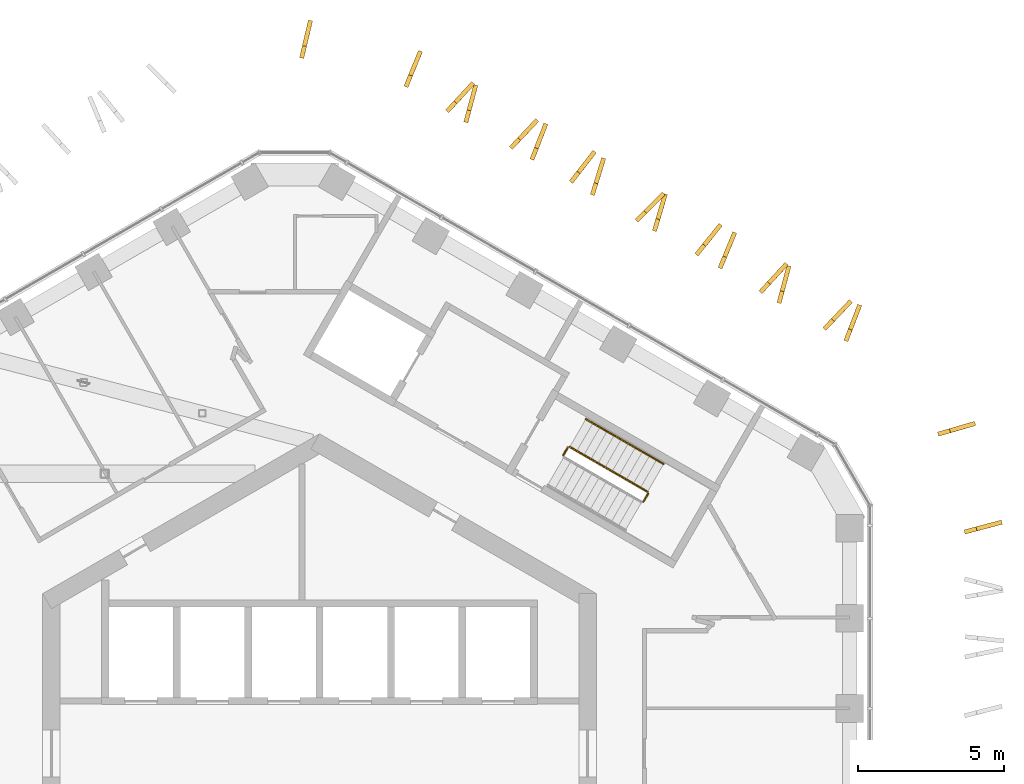
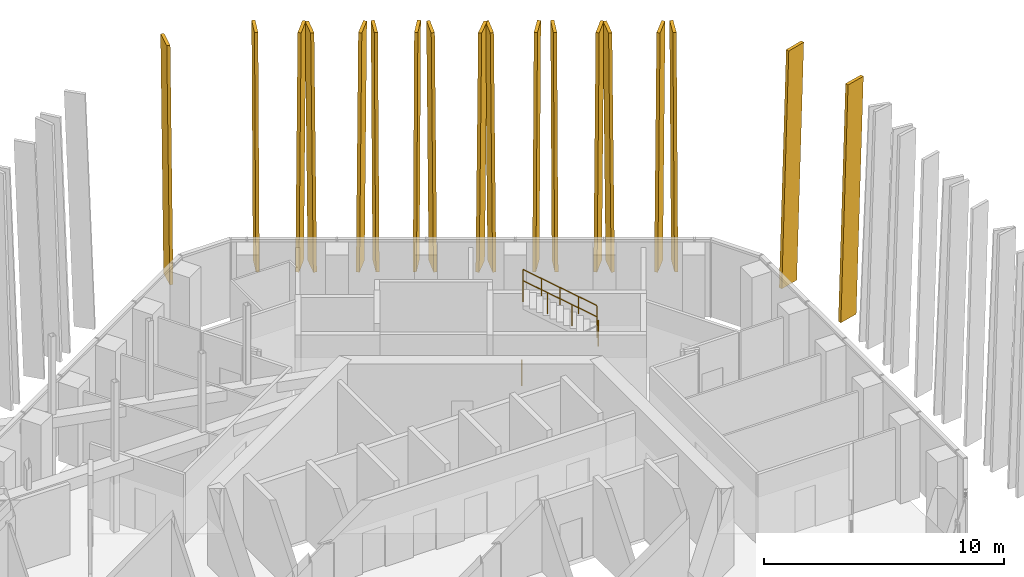
# One storey, part 28 of 28: 18 shading devices, 5 railings.
"""IFC4 building model written with IfcOpenShell, lengths in metres."""

from ifc_helpers import new_model, si_unit, direction, frame, origin, origin_2d, place, context, subcontext, project, spatial, polyline, circle, outline, extrude, material, layer, layer_set, type_object, element, save


model = new_model("IFC4")

# Units and contexts
model_context = context("Model", 3, precision=1e-05, world=origin(), true_north=direction((0.0, 1.0)))
body_context = subcontext(model_context, "Body", "Model", "MODEL_VIEW")
ifc_project = project(units=[si_unit("LENGTHUNIT", "METRE"), si_unit("AREAUNIT", "SQUARE_METRE"), si_unit("VOLUMEUNIT", "CUBIC_METRE"), si_unit("PLANEANGLEUNIT", "RADIAN"), si_unit("MASSUNIT", "GRAM", prefix="KILO")], contexts=[model_context])

# Site, building, storey
site_placement = place(None, origin())
site = spatial("IfcSite", under=ifc_project, at=site_placement, CompositionType="ELEMENT")
building_placement = place(site_placement, origin())
building = spatial("IfcBuilding", under=site, at=building_placement, Name="Ayvan Gate Tower", CompositionType="ELEMENT")
storey_placement = place(building_placement, frame((0.0, 0.0, 202.10009765625)))
storey = spatial("IfcBuildingStorey", under=building, at=storey_placement, Name="L54", CompositionType="ELEMENT", Elevation=202.10009765625)

# Shading devices
ifc_material_1 = material(Name="Bronze anodised aluminium", Category="aluminium")
ifc_layer = layer(ifc_material_1, 0.14990234375)
ifc_layer_set = layer_set([ifc_layer], Name="Bronze anodised aluminium")
shading_device_type = type_object("IfcShadingDeviceType", Name="Bronze fin 900 x 150", PredefinedType="USERDEFINED", material=ifc_layer_set)
shading_device_1_placement = place(storey_placement, frame((22.14599609375, 7.527587890625, 0.0), z_axis=(0.254039287529, -0.967193891815, 0.000126598504), x_axis=(0.967193899566, 0.254039289563, -1.2247e-08)))
element("IfcShadingDevice", 1, at=shading_device_1_placement, inside=storey, type_object=shading_device_type, Name="Bronze fin FG20.5.47", ObjectType="FIN", PredefinedType="USERDEFINED", context=body_context, shape_type="SweptSolid", body=[
    extrude(outline(polyline([(0.0, 0.0), (0.8998601140099947, 6.776263578034403e-21), (1.3243461386761306, 11.879882923920443), (0.42418787203207114, 11.879882901874725), (0.0, 0.0)])), origin(), (0.0, 0.0, -1.0), 0.14990234375),
])
shading_device_2_placement = place(storey_placement, frame((21.242431640625, 10.885498046875, 0.0), z_axis=(0.276655005323, -0.9609692979, 0.000128541804), x_axis=(0.960969305839, 0.276655007608, 0.0)))
element("IfcShadingDevice", 2, at=shading_device_2_placement, inside=storey, type_object=shading_device_type, Name="Bronze fin FG20.6.48", ObjectType="FIN", PredefinedType="USERDEFINED", context=body_context, shape_type="SweptSolid", body=[
    extrude(outline(polyline([(0.0, 0.0), (0.9001226460813181, 0.0), (1.3245827926025633, 11.879882910645627), (0.42446014652124536, 11.879882910645627), (0.0, 0.0)])), origin(), (0.0, 0.0, -1.0), 0.14990234375),
])
shading_device_3_placement = place(storey_placement, frame((18.12744140625, 14.12744140625, 0.0), z_axis=(0.932771183875, -0.360469003597, 0.000126402726), x_axis=(0.360469006477, 0.932771191327, 0.0)))
element("IfcShadingDevice", 3, at=shading_device_3_placement, inside=storey, type_object=shading_device_type, Name="Bronze fin FG20.7.49", ObjectType="FIN", PredefinedType="USERDEFINED", context=body_context, shape_type="SweptSolid", body=[
    extrude(outline(polyline([(0.0, 0.0), (0.900113143696604, -6.776263578034403e-21), (1.32459353132775, 11.879882907406301), (0.424480387631146, 11.879882907406301), (0.0, 0.0)])), origin(), (0.0, 0.0, -1.0), 0.14990234375),
])
shading_device_4_placement = place(storey_placement, frame((17.372314453125, 14.51025390625, 0.0), z_axis=(0.724918138422, -0.68883501252, 0.000134585937), x_axis=(0.688835018759, 0.724918144987, 0.0)))
element("IfcShadingDevice", 4, at=shading_device_4_placement, inside=storey, type_object=shading_device_type, Name="Bronze fin FG20.7.50", ObjectType="FIN", PredefinedType="USERDEFINED", context=body_context, shape_type="SweptSolid", body=[
    extrude(outline(polyline([(0.0, 0.0), (0.8998860830161552, 0.0), (1.3243981999077454, 11.879882920092385), (0.4245121168915904, 11.879882920092385), (0.0, 0.0)])), origin(), (0.0, 0.0, -1.0), 0.14990234375),
])
shading_device_5_placement = place(storey_placement, frame((15.83544921875, 15.4326171875, 0.0), z_axis=(0.965792309317, -0.25931679475, 0.000123392847), x_axis=(0.259316796724, 0.965792316669, -4.34e-09)))
element("IfcShadingDevice", 5, at=shading_device_5_placement, inside=storey, type_object=shading_device_type, Name="Bronze fin FG20.7.51", ObjectType="FIN", PredefinedType="USERDEFINED", context=body_context, shape_type="SweptSolid", body=[
    extrude(outline(polyline([(0.0, 0.0), (0.8999334729027477, 1.0164395367051604e-20), (1.324467810711207, 11.879882908688925), (0.42429854866864747, 11.87988290087593), (0.0, 0.0)])), origin(), (0.0, 0.0, -1.0), 0.14990234375),
])
shading_device_6_placement = place(storey_placement, frame((15.18505859375, 15.77880859375, 0.0), z_axis=(0.735406348943, -0.677626359152, 0.000138984206), x_axis=(0.677626365696, 0.735406356046, 0.0)))
element("IfcShadingDevice", 6, at=shading_device_6_placement, inside=storey, type_object=shading_device_type, Name="Bronze fin FG20.7.52", ObjectType="FIN", PredefinedType="USERDEFINED", context=body_context, shape_type="SweptSolid", body=[
    extrude(outline(polyline([(0.0, 0.0), (0.8999993390504741, 1.3552527156068805e-20), (1.3244090269823827, 11.879882927239532), (0.4244096879319086, 11.879882927239532), (0.0, 0.0)])), origin(), (0.0, 0.0, -1.0), 0.14990234375),
])
shading_device_7_placement = place(storey_placement, frame((13.80908203125, 16.622802734375, 0.0), z_axis=(0.924140696691, -0.382052295653, 0.000126911117), x_axis=(0.382052298731, 0.924140704132, -1.5906e-08)))
element("IfcShadingDevice", 7, at=shading_device_7_placement, inside=storey, type_object=shading_device_type, Name="Bronze fin FG20.7.53", ObjectType="FIN", PredefinedType="USERDEFINED", context=body_context, shape_type="SweptSolid", body=[
    extrude(outline(polyline([(0.0, 0.0), (0.9001120771218559, 0.0), (1.3245095457608864, 11.879882929238438), (0.42449074312602536, 11.8798829006062), (0.0, 0.0)])), origin(), (0.0, 0.0, -1.0), 0.14990234375),
])
shading_device_8_placement = place(storey_placement, frame((12.99072265625, 17.066162109375, 0.0), z_axis=(0.777936073361, -0.628343414902, 0.00013679684), x_axis=(0.62834342078, 0.777936080641, 1.4434e-08)))
element("IfcShadingDevice", 8, at=shading_device_8_placement, inside=storey, type_object=shading_device_type, Name="Bronze fin FG20.7.54", ObjectType="FIN", PredefinedType="USERDEFINED", context=body_context, shape_type="SweptSolid", body=[
    extrude(outline(polyline([(0.0, 0.0), (0.8999912211434999, -2.0328790734103208e-20), (1.324624425636806, 11.879882904536505), (0.4244798003378422, 11.879882930519969), (0.0, 0.0)])), origin(), (0.0, 0.0, -1.0), 0.14990234375),
])
shading_device_9_placement = place(storey_placement, frame((11.5615234375, 17.90576171875, 0.0), z_axis=(0.958854190301, -0.283898970194, 0.000128319235), x_axis=(0.283898972528, 0.958854198196, 2.1629e-08)))
element("IfcShadingDevice", 9, at=shading_device_9_placement, inside=storey, type_object=shading_device_type, Name="Bronze fin FG20.7.55", ObjectType="FIN", PredefinedType="USERDEFINED", context=body_context, shape_type="SweptSolid", body=[
    extrude(outline(polyline([(0.0, 0.0), (0.9000263466518889, 0.0), (1.3243214036927127, 11.879882881662628), (0.42445984103146533, 11.879882920591958), (0.0, 0.0)])), origin(), (0.0, 0.0, -1.0), 0.14990234375),
])
shading_device_10_placement = place(storey_placement, frame((10.925537109375, 18.222412109375, 0.0), z_axis=(0.707378008932, -0.706835437113, 0.000131606559), x_axis=(0.706835443232, 0.70737801506, 2.5246e-08)))
element("IfcShadingDevice", 10, at=shading_device_10_placement, inside=storey, type_object=shading_device_type, Name="Bronze fin FG20.7.56", ObjectType="FIN", PredefinedType="USERDEFINED", context=body_context, shape_type="SweptSolid", body=[
    extrude(outline(polyline([(0.0, 0.0), (0.8999385236565691, 0.0), (1.324445144019407, 11.879882881944772), (0.424506752826663, 11.879882927384164), (0.0, 0.0)])), origin(), (0.0, 0.0, -1.0), 0.14990234375),
])
shading_device_11_placement = place(storey_placement, frame((9.4296875, 19.138916015625, 0.0), z_axis=(0.955246652195, -0.295810442771, 0.00012416643), x_axis=(0.295810445053, 0.955246659558, -1.1104e-08)))
element("IfcShadingDevice", 11, at=shading_device_11_placement, inside=storey, type_object=shading_device_type, Name="Bronze fin FG20.7.57", ObjectType="FIN", PredefinedType="USERDEFINED", context=body_context, shape_type="SweptSolid", body=[
    extrude(outline(polyline([(0.0, 0.0), (0.9001728345990299, 0.0), (1.3244626573468785, 11.879882918784089), (0.4245952566112792, 11.879882898797286), (0.0, 0.0)])), origin(), (0.0, 0.0, -1.0), 0.14990234375),
])
shading_device_12_placement = place(storey_placement, frame((8.685791015625, 19.55712890625, 0.0), z_axis=(0.790526682108, -0.612427585744, 0.000130747913), x_axis=(0.612427590977, 0.790526688866, 1.4021e-08)))
element("IfcShadingDevice", 12, at=shading_device_12_placement, inside=storey, type_object=shading_device_type, Name="Bronze fin FG20.7.58", ObjectType="FIN", PredefinedType="USERDEFINED", context=body_context, shape_type="SweptSolid", body=[
    extrude(outline(polyline([(0.0, 0.0), (0.8998642197733988, -6.776263578034403e-21), (1.3243075073622324, 11.879882895475054), (0.4242937691340049, 11.879882920711456), (0.0, 0.0)])), origin(), (0.0, 0.0, -1.0), 0.14990234375),
])
shading_device_13_placement = place(storey_placement, frame((7.355712890625, 20.346923828125, 0.0), z_axis=(0.931760104992, -0.363074497971, 0.000125172422), x_axis=(0.363074500814, 0.931760112292, 1.5819e-08)))
element("IfcShadingDevice", 13, at=shading_device_13_placement, inside=storey, type_object=shading_device_type, Name="Bronze fin FG20.7.59", ObjectType="FIN", PredefinedType="USERDEFINED", context=body_context, shape_type="SweptSolid", body=[
    extrude(outline(polyline([(0.0, 0.0), (0.8999974774933199, 0.0), (1.3244604436565028, 11.879882884616046), (0.42437432492763244, 11.879882913091734), (0.0, 0.0)])), origin(), (0.0, 0.0, -1.0), 0.14990234375),
])
shading_device_14_placement = place(storey_placement, frame((6.615966796875, 20.721435546875, 0.0), z_axis=(0.726764829654, -0.686886356358, 0.00012580667), x_axis=(0.686886361794, 0.726764835405, 0.0)))
element("IfcShadingDevice", 14, at=shading_device_14_placement, inside=storey, type_object=shading_device_type, Name="Bronze fin FG20.7.60", ObjectType="FIN", PredefinedType="USERDEFINED", context=body_context, shape_type="SweptSolid", body=[
    extrude(outline(polyline([(0.0, 0.0), (0.8999509917267263, 0.0), (1.3244950790872068, 11.879882906513345), (0.4245440873604804, 11.879882906513345), (0.0, 0.0)])), origin(), (0.0, 0.0, -1.0), 0.14990234375),
])
shading_device_15_placement = place(storey_placement, frame((5.091064453125, 21.6357421875, 0.0), z_axis=(0.965885050233, -0.258971146193, 0.000123193422), x_axis=(0.25897114816, 0.965885057562, -1.6141e-08)))
element("IfcShadingDevice", 15, at=shading_device_15_placement, inside=storey, type_object=shading_device_type, Name="Bronze fin FG20.7.61", ObjectType="FIN", PredefinedType="USERDEFINED", context=body_context, shape_type="SweptSolid", body=[
    extrude(outline(polyline([(0.0, 0.0), (0.8998701785673684, -3.3881317890172014e-21), (1.3243416595488005, 11.879882924025054), (0.4245347063594009, 11.879882894975614), (0.0, 0.0)])), origin(), (0.0, 0.0, -1.0), 0.14990234375),
])
shading_device_16_placement = place(storey_placement, frame((4.433349609375, 21.985107421875, 0.0), z_axis=(0.733324714356, -0.679878555004, 0.000117306994), x_axis=(0.679878559682, 0.733324719401, 0.0)))
element("IfcShadingDevice", 16, at=shading_device_16_placement, inside=storey, type_object=shading_device_type, Name="Bronze fin FG20.7.62", ObjectType="FIN", PredefinedType="USERDEFINED", context=body_context, shape_type="SweptSolid", body=[
    extrude(outline(polyline([(0.0, 0.0), (0.8998907195078895, -6.776263578034403e-21), (1.324407140264586, 11.879882894239124), (0.4245164207566964, 11.879882894239124), (0.0, 0.0)])), origin(), (0.0, 0.0, -1.0), 0.14990234375),
])
shading_device_17_placement = place(storey_placement, frame((3.03173828125, 22.844970703125, 0.0), z_axis=(0.925300450649, -0.379234837293, 0.000119211429), x_axis=(0.379234839988, 0.925300457224, 0.0)))
element("IfcShadingDevice", 17, at=shading_device_17_placement, inside=storey, type_object=shading_device_type, Name="Bronze fin FG20.7.63", ObjectType="FIN", PredefinedType="USERDEFINED", context=body_context, shape_type="SweptSolid", body=[
    extrude(outline(polyline([(0.0, 0.0), (0.8999927162829349, 0.0), (1.3244748017175796, 11.879882896914674), (0.4244820854346448, 11.879882896914674), (0.0, 0.0)])), origin(), (0.0, 0.0, -1.0), 0.14990234375),
])
shading_device_18_placement = place(storey_placement, frame((-0.54150390625, 23.8427734375, 0.0), z_axis=(0.97312827672, -0.230263630695, 0.000132013681), x_axis=(0.230263632702, 0.973128285199, 0.0)))
element("IfcShadingDevice", 18, at=shading_device_18_placement, inside=storey, type_object=shading_device_type, Name="Bronze fin FG20.8.64", ObjectType="FIN", PredefinedType="USERDEFINED", context=body_context, shape_type="SweptSolid", body=[
    extrude(outline(polyline([(0.0, 0.0), (0.9001655545554178, 0.0), (1.3245381273403198, 11.879882916018996), (0.42437257278490215, 11.879882916018996), (0.0, 0.0)])), origin(), (0.0, 0.0, -1.0), 0.14990234375),
])

# Railings
ifc_material_2 = material(Name="Stainless steel balustrade", Category="steel")
railing_type_1 = type_object("IfcRailingType", Name="RL-GUARD-1100", PredefinedType="GUARDRAIL", material=ifc_material_2)
railing_1_placement = place(storey_placement, frame((11.11669921875, 8.644775390625, 2.0)))
element("IfcRailing", 19, at=railing_1_placement, inside=storey, type_object=railing_type_1, Name="L54 STS1 stair guard 2", PredefinedType="GUARDRAIL", context=body_context, shape_type="SweptSolid", body=[
    extrude(circle(Radius=0.02392578125, at=origin_2d()), frame((0.0, 0.0, 1.076171875), z_axis=(0.499949632511, 0.866054481515, 0.0), x_axis=(-0.866054481515, 0.499949632511, 0.0)), (0.0, 0.0, 1.0), 0.31005859375),
    extrude(circle(Radius=0.02099609375, at=origin_2d()), origin(), (0.0, 0.0, 1.0), 1.052001953125),
    extrude(circle(Radius=0.02099609375, at=origin_2d()), frame((0.155029296875, 0.2685546875, 0.0)), (0.0, 0.0, 1.0), 1.052001953125),
])
railing_2_placement = place(storey_placement, frame((11.25341796875, 8.981689453125, 2.16650390625)))
element("IfcRailing", 20, at=railing_2_placement, inside=storey, type_object=railing_type_1, Name="L54 STS1 stair guard 3", PredefinedType="GUARDRAIL", context=body_context, shape_type="SweptSolid", body=[
    extrude(circle(Radius=0.02392578125, at=origin_2d()), frame((0.0, 0.0, 1.076171875), z_axis=(-0.744155296881, 0.429600682602, 0.511542908886), x_axis=(-0.499967199496, -0.866044340336, 0.0)), (0.0, 0.0, 1.0), 3.584228515625),
    extrude(circle(Radius=0.02099609375, at=origin_2d()), origin(), (0.0, 0.0, 1.0), 1.052001953125),
    extrude(circle(Radius=0.02099609375, at=origin_2d()), frame((-0.88916015625, 0.51318359375, 0.611083984375)), (0.0, 0.0, 1.0), 1.052001953125),
    extrude(circle(Radius=0.02099609375, at=origin_2d()), frame((-1.778076171875, 1.026611328125, 1.222412109375)), (0.0, 0.0, 1.0), 1.052001953125),
    extrude(circle(Radius=0.02099609375, at=origin_2d()), frame((-2.667236328125, 1.539794921875, 1.83349609375)), (0.0, 0.0, 1.0), 1.052001953125),
])
railing_3_placement = place(storey_placement, frame((8.36279296875, 10.23486328125, 0.0)))
element("IfcRailing", 21, at=railing_3_placement, inside=storey, type_object=railing_type_1, Name="L54 STS1 stair guard 4", PredefinedType="GUARDRAIL", context=body_context, shape_type="SweptSolid", body=[
    extrude(circle(Radius=0.02392578125, at=origin_2d()), frame((0.0, 0.0, 1.076171875), z_axis=(0.500290723946, 0.86585748916, 0.0), x_axis=(-0.86585748916, 0.500290723946, 0.0)), (0.0, 0.0, 1.0), 0.309814453125),
    extrude(circle(Radius=0.02099609375, at=origin_2d()), origin(), (0.0, 0.0, 1.0), 1.052001953125),
    extrude(circle(Radius=0.02099609375, at=origin_2d()), frame((0.155029296875, 0.268310546875, 0.0)), (0.0, 0.0, 1.0), 1.052001953125),
])
railing_type_2 = type_object("IfcRailingType", Name="RL-HANDRAIL-900", PredefinedType="HANDRAIL", material=ifc_material_2)
for number, where, name in (
    (22, (11.803466796875, 9.93408203125, 2.16650390625), "L54 STS1 stair handrail 3"),
    (23, (10.4697265625, 10.7041015625, 3.083251953125), "L54 STS1 stair handrail 4"),
):
    element("IfcRailing", number, at=place(storey_placement, frame(where)), inside=storey, type_object=railing_type_2, Name=name, PredefinedType="HANDRAIL", context=body_context, shape_type="SweptSolid", body=[
        extrude(circle(Radius=0.02392578125, at=origin_2d()), frame((0.0, 0.0, 0.8759765625), z_axis=(-0.7441639146, 0.429634447492, 0.511502013422), x_axis=(-0.499992328818, -0.866029832698, 0.0)), (0.0, 0.0, 1.0), 1.792236328125),
        extrude(circle(Radius=0.02099609375, at=origin_2d()), origin(), (0.0, 0.0, 1.0), 0.851806640625),
        extrude(circle(Radius=0.02099609375, at=origin_2d()), frame((-0.6669921875, 0.385009765625, 0.45849609375)), (0.0, 0.0, 1.0), 0.851806640625),
        extrude(circle(Radius=0.02099609375, at=origin_2d()), frame((-1.333740234375, 0.77001953125, 0.916748046875)), (0.0, 0.0, 1.0), 0.851806640625),
    ])

save(model, "model.ifc")
